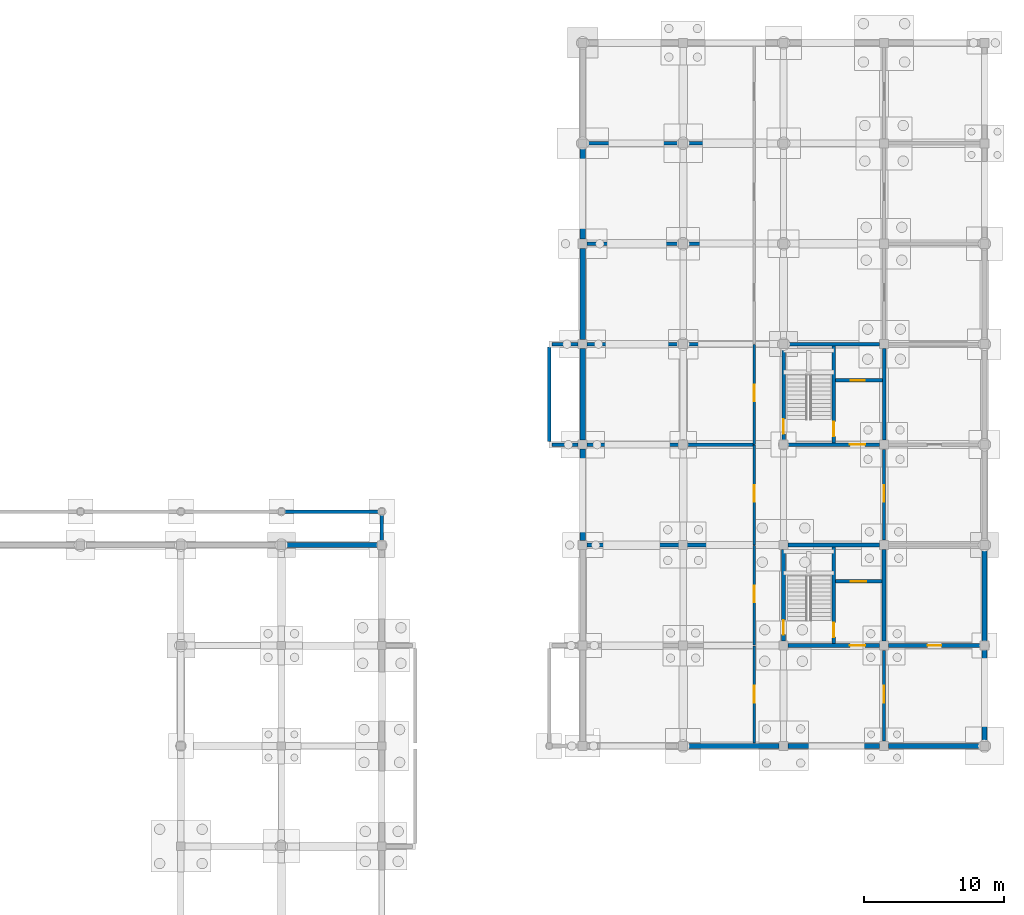
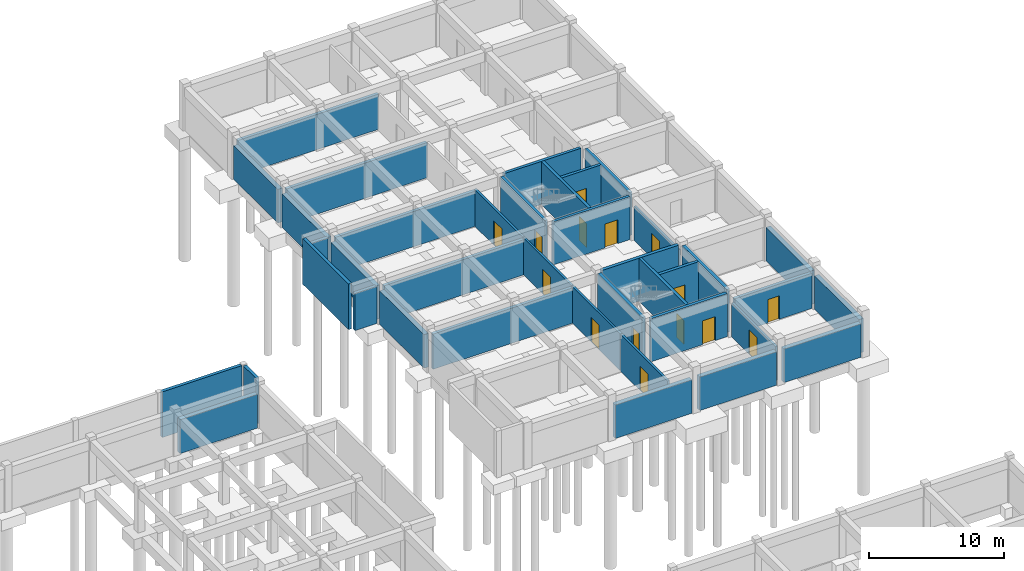
# One storey, part 29 of 38: 39 walls, 15 doors, 15 openings.
"""IFC4 building model written with IfcOpenShell, lengths in metres."""

import ifcopenshell
import ifcopenshell.guid

model = None  # the IFC model being written
_history = None  # IfcOwnerHistory: only IFC2X3 demands one
_inside = {}  # id of a spatial element -> (the spatial element, [elements in it])
_under = {}  # id of a project, library or spatial element -> (it, [spatial elements below it])
_declared = {}  # id of a project -> (the project, [libraries it declares])
_typed = {}  # id of a type object -> (the type object, [elements of that type])
_made_of = {}  # id of a material, layer set ... -> (it, [elements and type objects made of it])


def new_model(schema):
    """Start an empty IFC model of exactly this schema.

    Asked for "IFC4X3", IfcOpenShell would pick the latest addendum, in which some entities
    have other attributes; the version numbers below select the first issue.
    IFC2X3 requires an IfcOwnerHistory on every rooted entity: one is made here for all.
    """
    global model, _history
    if schema == "IFC4X3":
        model = ifcopenshell.file(schema_version=(4, 3, 0, 0))
    else:
        model = ifcopenshell.file(schema=schema)
    _inside.clear()
    _under.clear()
    _declared.clear()
    _typed.clear()
    _made_of.clear()
    _history = None
    if model.schema == "IFC2X3":
        org = make("IfcOrganization", Name="unknown")
        user = make(
            "IfcPersonAndOrganization",
            ThePerson=make("IfcPerson", FamilyName="unknown"),
            TheOrganization=org,
        )
        app = make(
            "IfcApplication",
            ApplicationDeveloper=org,
            Version="unknown",
            ApplicationFullName="unknown",
            ApplicationIdentifier="unknown",
        )
        _history = make(
            "IfcOwnerHistory",
            OwningUser=user,
            OwningApplication=app,
            ChangeAction="ADDED",
            CreationDate=0,
        )
    return model


def make(cls, **values):
    """One entity of the class cls with the attributes given. An attribute that is None is left unset."""
    return model.create_entity(
        cls, **{name: value for name, value in values.items() if value is not None}
    )


def rooted(cls, **values):
    """An entity with a GlobalId (a new one), such as an element, a storey or a relation."""
    return make(cls, GlobalId=ifcopenshell.guid.new(), OwnerHistory=_history, **values)


def si_unit(unit_type, name, prefix=None):
    """IfcSIUnit, for example si_unit("LENGTHUNIT", "METRE", prefix="MILLI")."""
    return make("IfcSIUnit", UnitType=unit_type, Prefix=prefix, Name=name)


def assignment(units):
    """IfcUnitAssignment: the units of a project."""
    return None if units is None else make("IfcUnitAssignment", Units=units)


def point(xyz):
    """IfcCartesianPoint."""
    return None if xyz is None else make("IfcCartesianPoint", Coordinates=xyz)


def direction(xyz):
    """IfcDirection."""
    return None if xyz is None else make("IfcDirection", DirectionRatios=xyz)


def frame(location, z_axis=None, x_axis=None):
    """IfcAxis2Placement3D, a coordinate frame: its origin and axes. An axis left out is left unset."""
    return make(
        "IfcAxis2Placement3D",
        Location=point(location),
        Axis=direction(z_axis),
        RefDirection=direction(x_axis),
    )


def frame_2d(location, x_axis=None):
    """IfcAxis2Placement2D, a coordinate frame in the plane: its origin and x axis."""
    return make(
        "IfcAxis2Placement2D", Location=point(location), RefDirection=direction(x_axis)
    )


def origin():
    """The frame at (0, 0, 0) with its axes left unset."""
    return frame((0.0, 0.0, 0.0))


def place(relative_to, where):
    """IfcLocalPlacement: puts the frame where relative to a parent placement (None: the world)."""
    return make(
        "IfcLocalPlacement", PlacementRelTo=relative_to, RelativePlacement=where
    )


def context(
    kind, dimensions, precision=None, world=None, true_north=None, identifier=None
):
    """IfcGeometricRepresentationContext, for example the 3D "Model" context."""
    return make(
        "IfcGeometricRepresentationContext",
        ContextIdentifier=identifier,
        ContextType=kind,
        CoordinateSpaceDimension=dimensions,
        Precision=precision,
        WorldCoordinateSystem=world,
        TrueNorth=true_north,
    )


def subcontext(parent, identifier, kind, view, scale=None):
    """IfcGeometricRepresentationSubContext, for example "Body" below "Model"."""
    return make(
        "IfcGeometricRepresentationSubContext",
        ContextIdentifier=identifier,
        ContextType=kind,
        ParentContext=parent,
        TargetScale=scale,
        TargetView=view,
    )


def project(units=None, contexts=None):
    """IfcProject with its units and contexts."""
    return rooted(
        "IfcProject",
        Name="project",
        RepresentationContexts=contexts,
        UnitsInContext=assignment(units),
    )


def spatial(cls, under=None, at=None, **own):
    """A site, building, storey or space (cls), placed at a placement, below another one or the project."""
    s = rooted(cls, ObjectPlacement=at, **own)
    if under is not None:
        _under.setdefault(under.id(), (under, []))[1].append(s)
    return s


def profile(cls, at=None, kind="AREA", **sizes):
    """A parametric profile (cls). Its sizes go by their IFC names, for example OverallWidth=200.0."""
    return make(cls, ProfileType=kind, Position=at, **sizes)


def rectangle(**sizes):
    """IfcRectangleProfileDef."""
    return profile("IfcRectangleProfileDef", **sizes)


def extrude(swept, where, along, depth):
    """IfcExtrudedAreaSolid: the profile swept, set in the frame where, extruded along a direction by depth."""
    return make(
        "IfcExtrudedAreaSolid",
        SweptArea=swept,
        Position=where,
        ExtrudedDirection=direction(along),
        Depth=depth,
    )


def shape(context_of_items, identifier, shape_type, items):
    """IfcShapeRepresentation: the items that make up one representation, for example the "Body"."""
    return make(
        "IfcShapeRepresentation",
        ContextOfItems=context_of_items,
        RepresentationIdentifier=identifier,
        RepresentationType=shape_type,
        Items=items,
    )


def material(Name=None, Category=None):
    """IfcMaterial."""
    return make("IfcMaterial", Name=Name, Category=Category)


def layer(
    of_material, thickness, ventilated=None, Name=None, Category=None, Priority=None
):
    """IfcMaterialLayer: one layer of a wall or slab, of a material (None: an air gap)."""
    return make(
        "IfcMaterialLayer",
        Material=of_material,
        LayerThickness=thickness,
        IsVentilated=ventilated,
        Name=Name,
        Category=Category,
        Priority=Priority,
    )


def layer_set(layers, Name=None):
    """IfcMaterialLayerSet."""
    return make("IfcMaterialLayerSet", MaterialLayers=layers, LayerSetName=Name)


def made_of(thing, what):
    """Note that an element or type object is made of a material, layer set ...; save() writes the relation."""
    if what is not None:
        _made_of.setdefault(what.id(), (what, []))[1].append(thing)
    return thing


def type_object(cls, material=None, **own):
    """A type object (cls), such as IfcWallType, which elements share."""
    return made_of(rooted(cls, **own), material)


def element(
    cls,
    number,
    at=None,
    inside=None,
    cuts=None,
    type_object=None,
    material=None,
    context=None,
    identifier="Body",
    shape_type=None,
    held_by="IfcProductDefinitionShape",
    body=None,
    shapes=None,
    **own,
):
    """One element of the class cls, such as IfcWall. Its Tag is "e" and its number.

    at: its placement. inside: the storey or other place that contains it. cuts: it is an
    opening in that element (IfcRelVoidsElement). A single representation is given by context,
    identifier, shape_type and body (its items); several are given by shapes. held_by: the class
    of the entity that holds the representations. save() writes the other relations.
    """
    e = rooted(cls, Tag="e%d" % number, ObjectPlacement=at, **own)
    if body is not None:
        shapes = [shape(context, identifier, shape_type, body)]
    if shapes is not None:
        e.Representation = make(held_by, Representations=shapes)
    if inside is not None:
        _inside.setdefault(inside.id(), (inside, []))[1].append(e)
    if cuts is not None:
        rooted(
            "IfcRelVoidsElement", RelatingBuildingElement=cuts, RelatedOpeningElement=e
        )
    if type_object is not None:
        _typed.setdefault(type_object.id(), (type_object, []))[1].append(e)
    return made_of(e, material)


def fill(opening, filler):
    """IfcRelFillsElement: the door or window that sits in an opening."""
    return rooted(
        "IfcRelFillsElement",
        RelatingOpeningElement=opening,
        RelatedBuildingElement=filler,
    )


def aggregate(whole, parts):
    """IfcRelAggregates: a whole, such as a stair, and the parts it consists of."""
    return rooted("IfcRelAggregates", RelatingObject=whole, RelatedObjects=parts)


def save(model, path):
    """Write the relations noted so far, then the file.

    IfcRelAggregates (storeys below a building ...), IfcRelContainedInSpatialStructure (elements
    in a storey), IfcRelDefinesByType, IfcRelAssociatesMaterial and IfcRelDeclares: one each for
    every whole, place, type object, material and project.
    """
    for whole, parts in _under.values():
        aggregate(whole, parts)
    for where, things in _inside.values():
        rooted(
            "IfcRelContainedInSpatialStructure",
            RelatedElements=things,
            RelatingStructure=where,
        )
    for kind, things in _typed.values():
        rooted("IfcRelDefinesByType", RelatedObjects=things, RelatingType=kind)
    for what, things in _made_of.values():
        rooted("IfcRelAssociatesMaterial", RelatedObjects=things, RelatingMaterial=what)
    for by, libraries in _declared.values():
        rooted("IfcRelDeclares", RelatingContext=by, RelatedDefinitions=libraries)
    model.write(path)


model = new_model("IFC4")

# Units and contexts
model_context = context("Model", 3, precision=1e-05, world=origin(), true_north=direction((0.0, 1.0)))
body_context = subcontext(model_context, "Body", "Model", "MODEL_VIEW")
ifc_project = project(units=[si_unit("LENGTHUNIT", "METRE"), si_unit("AREAUNIT", "SQUARE_METRE"), si_unit("VOLUMEUNIT", "CUBIC_METRE"), si_unit("PLANEANGLEUNIT", "RADIAN"), si_unit("MASSUNIT", "GRAM", prefix="KILO"), si_unit("THERMODYNAMICTEMPERATUREUNIT", "KELVIN"), si_unit("POWERUNIT", "WATT")], contexts=[model_context])

# Site, building, storey
site_placement = place(None, origin())
site = spatial("IfcSite", under=ifc_project, at=site_placement, CompositionType="ELEMENT")
building_placement = place(site_placement, origin())
building = spatial("IfcBuilding", under=site, at=building_placement, Name="Tavuni Mirador Residences", CompositionType="ELEMENT")
storey_placement = place(building_placement, frame((0.0, 0.0, -4.199951171875)))
storey = spatial("IfcBuildingStorey", under=building, at=storey_placement, Name="B1", CompositionType="ELEMENT", Elevation=-4.199951171875)

# Wall, opening, door
ifc_material_1 = material(Name="Precast concrete C40/50", Category="concrete")
ifc_layer_1 = layer(ifc_material_1, 0.25, Name="Precast concrete C40/50", Category="concrete")
ifc_layer_set_1 = layer_set([ifc_layer_1], Name="Precast concrete C40/50")
wall_type_1 = type_object("IfcWallType", Name="WT-COR250", PredefinedType="SHEAR", material=ifc_layer_set_1)
wall_1_placement = place(storey_placement, frame((108.0, 93.739990234375, 0.0), z_axis=(0.0, 0.0, 1.0), x_axis=(0.0, 1.0, 0.0)))
wall_1 = element("IfcWall", 1, at=wall_1_placement, inside=storey, type_object=wall_type_1, Name="CWALL-C7-B1-MID", PredefinedType="SHEAR", context=body_context, shape_type="SweptSolid", body=[
    extrude(rectangle(XDim=6.919921875, YDim=0.25, at=frame_2d((3.4599609375, 0.0))), origin(), (0.0, 0.0, 1.0), 3.8798828125),
])
opening_1_placement = place(wall_1_placement, frame((0.4599609375, 0.0, 0.0)))
opening_1 = element("IfcOpeningElement", 2, at=opening_1_placement, cuts=wall_1, Name="Opening D-01", PredefinedType="OPENING", context=body_context, shape_type="SweptSolid", body=[
    extrude(rectangle(XDim=1.050048828125, YDim=2.14990234375, at=frame_2d((0.52490234375, 1.074951171875))), frame((0.0, 0.135009765625, 0.0), z_axis=(0.0, -1.0, 0.0), x_axis=(1.0, 0.0, 0.0)), (0.0, 0.0, 1.0), 0.27001953125),
])
ifc_material_2 = material(Name="Solid core iroko timber", Category="wood")
door_type_1 = type_object("IfcDoorType", Name="DT-ST1050", OperationType="NOTDEFINED", PredefinedType="DOOR", material=ifc_material_2)
door_1_placement = place(opening_1_placement, origin())
door_1 = element("IfcDoor", 3, at=door_1_placement, inside=storey, type_object=door_type_1, Name="DR-2263", OperationType="SINGLE_SWING_LEFT", OverallHeight=2.14990234375, OverallWidth=1.050048828125, PredefinedType="DOOR", context=body_context, shape_type="SweptSolid", body=[
    extrude(rectangle(XDim=1.050048828125, YDim=2.14990234375, at=frame_2d((0.52490234375, 1.074951171875))), frame((0.0, 0.02490234375, 0.0), z_axis=(0.0, -1.0, 0.0), x_axis=(1.0, 0.0, 0.0)), (0.0, 0.0, 1.0), 0.050048828125),
])
fill(opening_1, door_1)

wall_2_placement = place(storey_placement, frame((108.125, 98.199951171875, 0.0), z_axis=(0.0, 0.0, 1.0), x_axis=(1.0, 0.0, 0.0)))
wall_2 = element("IfcWall", 4, at=wall_2_placement, inside=storey, type_object=wall_type_1, Name="CWALL-C7-B1-SHF", PredefinedType="SHEAR", context=body_context, shape_type="SweptSolid", body=[
    extrude(rectangle(XDim=3.3349609375, YDim=0.25, at=frame_2d((1.66748046875, 0.0))), origin(), (0.0, 0.0, 1.0), 3.8798828125),
])
opening_2_placement = place(wall_2_placement, frame((1.10009765625, 0.0, 0.0)))
opening_2 = element("IfcOpeningElement", 5, at=opening_2_placement, cuts=wall_2, Name="Opening LD-01", PredefinedType="OPENING", context=body_context, shape_type="SweptSolid", body=[
    extrude(rectangle(XDim=1.10009765625, YDim=2.199951171875, at=frame_2d((0.550048828125, 1.10009765625))), frame((0.0, 0.135009765625, 0.0), z_axis=(0.0, -1.0, 0.0), x_axis=(1.0, 0.0, 0.0)), (0.0, 0.0, 1.0), 0.27001953125),
])
ifc_material_3 = material(Name="Structural steel S355", Category="steel")
door_type_2 = type_object("IfcDoorType", Name="DT-LD-FF", OperationType="SLIDING_TO_LEFT", PredefinedType="DOOR", material=ifc_material_3)
door_2_placement = place(opening_2_placement, origin())
door_2 = element("IfcDoor", 6, at=door_2_placement, inside=storey, type_object=door_type_2, Name="Lift landing door FL-D1 B1", OperationType="SLIDING_TO_LEFT", OverallHeight=2.199951171875, OverallWidth=1.10009765625, PredefinedType="DOOR", context=body_context, shape_type="SweptSolid", body=[
    extrude(rectangle(XDim=1.10009765625, YDim=2.199951171875, at=frame_2d((0.550048828125, 1.10009765625))), frame((0.0, 0.02490234375, 0.0), z_axis=(0.0, -1.0, 0.0), x_axis=(1.0, 0.0, 0.0)), (0.0, 0.0, 1.0), 0.050048828125),
])
fill(opening_2, door_2)

wall_3_placement = place(storey_placement, frame((104.39990234375, 108.324951171875, 0.0), z_axis=(0.0, 0.0, 1.0), x_axis=(0.0, 1.0, 0.0)))
wall_3 = element("IfcWall", 7, at=wall_3_placement, inside=storey, type_object=wall_type_1, Name="CWALL-C8-B1-W", PredefinedType="SHEAR", context=body_context, shape_type="SweptSolid", body=[
    extrude(rectangle(XDim=6.550048828125, YDim=0.25, at=frame_2d((3.27490234375, 0.0))), origin(), (0.0, 0.0, 1.0), 3.8798828125),
])
opening_3_placement = place(wall_3_placement, frame((0.449951171875, 0.0, 0.0)))
opening_3 = element("IfcOpeningElement", 8, at=opening_3_placement, cuts=wall_3, Name="Opening D-01", PredefinedType="OPENING", context=body_context, shape_type="SweptSolid", body=[
    extrude(rectangle(XDim=1.050048828125, YDim=2.14990234375, at=frame_2d((0.52490234375, 1.074951171875))), frame((0.0, 0.135009765625, 0.0), z_axis=(0.0, -1.0, 0.0), x_axis=(1.0, 0.0, 0.0)), (0.0, 0.0, 1.0), 0.27001953125),
])
door_3_placement = place(opening_3_placement, origin())
door_3 = element("IfcDoor", 9, at=door_3_placement, inside=storey, type_object=door_type_1, Name="DR-2309", OperationType="SINGLE_SWING_RIGHT", OverallHeight=2.14990234375, OverallWidth=1.050048828125, PredefinedType="DOOR", context=body_context, shape_type="SweptSolid", body=[
    extrude(rectangle(XDim=1.050048828125, YDim=2.14990234375, at=frame_2d((0.52490234375, 1.074951171875))), frame((0.0, 0.02490234375, 0.0), z_axis=(0.0, -1.0, 0.0), x_axis=(1.0, 0.0, 0.0)), (0.0, 0.0, 1.0), 0.050048828125),
])
fill(opening_3, door_3)

# Walls
wall_4_placement = place(storey_placement, frame((104.72509765625, 115.199951171875, 0.0), z_axis=(0.0, 0.0, 1.0), x_axis=(1.0, 0.0, 0.0)))
element("IfcWall", 10, at=wall_4_placement, inside=storey, type_object=wall_type_1, Name="CWALL-C8-B1-N", PredefinedType="SHEAR", context=body_context, shape_type="SweptSolid", body=[
    extrude(rectangle(XDim=6.5498046875, YDim=0.25, at=frame_2d((3.27490234375, 0.0))), origin(), (0.0, 0.0, 1.0), 3.8798828125),
])
wall_5_placement = place(storey_placement, frame((111.60009765625, 108.324951171875, 0.0), z_axis=(0.0, 0.0, 1.0), x_axis=(0.0, 1.0, 0.0)))
element("IfcWall", 11, at=wall_5_placement, inside=storey, type_object=wall_type_1, Name="CWALL-C8-B1-E", PredefinedType="SHEAR", context=body_context, shape_type="SweptSolid", body=[
    extrude(rectangle(XDim=6.550048828125, YDim=0.25, at=frame_2d((3.27490234375, 0.0))), origin(), (0.0, 0.0, 1.0), 3.8798828125),
])

# Wall, opening, door
wall_6_placement = place(storey_placement, frame((104.72509765625, 108.0, 0.0), z_axis=(0.0, 0.0, 1.0), x_axis=(1.0, 0.0, 0.0)))
wall_6 = element("IfcWall", 12, at=wall_6_placement, inside=storey, type_object=wall_type_1, Name="CWALL-C8-B1-SS", PredefinedType="SHEAR", context=body_context, shape_type="SweptSolid", body=[
    extrude(rectangle(XDim=6.5498046875, YDim=0.25, at=frame_2d((3.27490234375, 0.0))), origin(), (0.0, 0.0, 1.0), 3.8798828125),
])
opening_4_placement = place(wall_6_placement, frame((4.425048828125, 0.0, 0.0)))
opening_4 = element("IfcOpeningElement", 13, at=opening_4_placement, cuts=wall_6, Name="Opening D-02", PredefinedType="OPENING", context=body_context, shape_type="SweptSolid", body=[
    extrude(rectangle(XDim=1.10009765625, YDim=2.14990234375, at=frame_2d((0.550048828125, 1.074951171875))), frame((0.0, 0.135009765625, 0.0), z_axis=(0.0, -1.0, 0.0), x_axis=(1.0, 0.0, 0.0)), (0.0, 0.0, 1.0), 0.27001953125),
])
door_type_3 = type_object("IfcDoorType", Name="DT-LOB1100", OperationType="NOTDEFINED", PredefinedType="DOOR", material=ifc_material_2)
door_4_placement = place(opening_4_placement, frame((1.10009765625, 0.0, 0.0), z_axis=(0.0, 0.0, 1.0), x_axis=(-1.0, 0.0, 0.0)))
door_4 = element("IfcDoor", 14, at=door_4_placement, inside=storey, type_object=door_type_3, Name="DR-2310", OperationType="SINGLE_SWING_RIGHT", OverallHeight=2.14990234375, OverallWidth=1.10009765625, PredefinedType="DOOR", context=body_context, shape_type="SweptSolid", body=[
    extrude(rectangle(XDim=1.10009765625, YDim=2.14990234375, at=frame_2d((0.550048828125, 1.074951171875))), frame((0.0, 0.02490234375, 0.0), z_axis=(0.0, -1.0, 0.0), x_axis=(1.0, 0.0, 0.0)), (0.0, 0.0, 1.0), 0.050048828125),
])
fill(opening_4, door_4)

wall_7_placement = place(storey_placement, frame((108.0, 108.125, 0.0), z_axis=(0.0, 0.0, 1.0), x_axis=(0.0, 1.0, 0.0)))
wall_7 = element("IfcWall", 15, at=wall_7_placement, inside=storey, type_object=wall_type_1, Name="CWALL-C8-B1-MID", PredefinedType="SHEAR", context=body_context, shape_type="SweptSolid", body=[
    extrude(rectangle(XDim=6.949951171875, YDim=0.25, at=frame_2d((3.47509765625, 0.0))), origin(), (0.0, 0.0, 1.0), 3.8798828125),
])
opening_5_placement = place(wall_7_placement, frame((0.47509765625, 0.0, 0.0)))
opening_5 = element("IfcOpeningElement", 16, at=opening_5_placement, cuts=wall_7, Name="Opening D-01", PredefinedType="OPENING", context=body_context, shape_type="SweptSolid", body=[
    extrude(rectangle(XDim=1.050048828125, YDim=2.14990234375, at=frame_2d((0.52490234375, 1.074951171875))), frame((0.0, 0.135009765625, 0.0), z_axis=(0.0, -1.0, 0.0), x_axis=(1.0, 0.0, 0.0)), (0.0, 0.0, 1.0), 0.27001953125),
])
door_5_placement = place(opening_5_placement, origin())
door_5 = element("IfcDoor", 17, at=door_5_placement, inside=storey, type_object=door_type_1, Name="DR-2311", OperationType="SINGLE_SWING_LEFT", OverallHeight=2.14990234375, OverallWidth=1.050048828125, PredefinedType="DOOR", context=body_context, shape_type="SweptSolid", body=[
    extrude(rectangle(XDim=1.050048828125, YDim=2.14990234375, at=frame_2d((0.52490234375, 1.074951171875))), frame((0.0, 0.02490234375, 0.0), z_axis=(0.0, -1.0, 0.0), x_axis=(1.0, 0.0, 0.0)), (0.0, 0.0, 1.0), 0.050048828125),
])
fill(opening_5, door_5)

wall_8_placement = place(storey_placement, frame((108.125, 112.60009765625, 0.0), z_axis=(0.0, 0.0, 1.0), x_axis=(1.0, 0.0, 0.0)))
wall_8 = element("IfcWall", 18, at=wall_8_placement, inside=storey, type_object=wall_type_1, Name="CWALL-C8-B1-SHF", PredefinedType="SHEAR", context=body_context, shape_type="SweptSolid", body=[
    extrude(rectangle(XDim=3.35009765625, YDim=0.25, at=frame_2d((1.675048828125, 0.0))), origin(), (0.0, 0.0, 1.0), 3.8798828125),
])
opening_6_placement = place(wall_8_placement, frame((1.10009765625, 0.0, 0.0)))
opening_6 = element("IfcOpeningElement", 19, at=opening_6_placement, cuts=wall_8, Name="Opening LD-02", PredefinedType="OPENING", context=body_context, shape_type="SweptSolid", body=[
    extrude(rectangle(XDim=1.0, YDim=2.199951171875, at=frame_2d((0.5, 1.10009765625))), frame((0.0, 0.135009765625, 0.0), z_axis=(0.0, -1.0, 0.0), x_axis=(1.0, 0.0, 0.0)), (0.0, 0.0, 1.0), 0.27001953125),
])
door_type_4 = type_object("IfcDoorType", Name="DT-LD-PAX", OperationType="SLIDING_TO_LEFT", PredefinedType="DOOR", material=ifc_material_3)
door_6_placement = place(opening_6_placement, origin())
door_6 = element("IfcDoor", 20, at=door_6_placement, inside=storey, type_object=door_type_4, Name="Lift landing door PL-D1 B1", OperationType="SLIDING_TO_LEFT", OverallHeight=2.199951171875, OverallWidth=1.0, PredefinedType="DOOR", context=body_context, shape_type="SweptSolid", body=[
    extrude(rectangle(XDim=1.0, YDim=2.199951171875, at=frame_2d((0.5, 1.10009765625))), frame((0.0, 0.02490234375, 0.0), z_axis=(0.0, -1.0, 0.0), x_axis=(1.0, 0.0, 0.0)), (0.0, 0.0, 1.0), 0.050048828125),
])
fill(opening_6, door_6)

ifc_layer_2 = layer(ifc_material_1, 0.280029296875, Name="Precast concrete C40/50", Category="concrete")
ifc_layer_set_2 = layer_set([ifc_layer_2], Name="Precast concrete C40/50")
wall_type_2 = type_object("IfcWallType", Name="WT-COR280", PredefinedType="SHEAR", material=ifc_layer_set_2)
wall_9_placement = place(storey_placement, frame((104.39990234375, 93.925048828125, 0.0), z_axis=(0.0, 0.0, 1.0), x_axis=(0.0, 1.0, 0.0)))
wall_9 = element("IfcWall", 21, at=wall_9_placement, inside=storey, type_object=wall_type_2, Name="CWALL-C7-B1-W", PredefinedType="SHEAR", context=body_context, shape_type="SweptSolid", body=[
    extrude(rectangle(XDim=6.550048828125, YDim=0.280029296875, at=frame_2d((3.27490234375, 0.0))), origin(), (0.0, 0.0, 1.0), 3.8798828125),
])
opening_7_placement = place(wall_9_placement, frame((0.449951171875, 0.0, 0.0)))
opening_7 = element("IfcOpeningElement", 22, at=opening_7_placement, cuts=wall_9, Name="Opening D-01", PredefinedType="OPENING", context=body_context, shape_type="SweptSolid", body=[
    extrude(rectangle(XDim=1.050048828125, YDim=2.14990234375, at=frame_2d((0.52490234375, 1.074951171875))), frame((0.0, 0.14990234375, 0.0), z_axis=(0.0, -1.0, 0.0), x_axis=(1.0, 0.0, 0.0)), (0.0, 0.0, 1.0), 0.300048828125),
])
door_7_placement = place(opening_7_placement, origin())
door_7 = element("IfcDoor", 23, at=door_7_placement, inside=storey, type_object=door_type_1, Name="DR-2261", OperationType="SINGLE_SWING_RIGHT", OverallHeight=2.14990234375, OverallWidth=1.050048828125, PredefinedType="DOOR", context=body_context, shape_type="SweptSolid", body=[
    extrude(rectangle(XDim=1.050048828125, YDim=2.14990234375, at=frame_2d((0.52490234375, 1.074951171875))), frame((0.0, 0.02490234375, 0.0), z_axis=(0.0, -1.0, 0.0), x_axis=(1.0, 0.0, 0.0)), (0.0, 0.0, 1.0), 0.050048828125),
])
fill(opening_7, door_7)

# Walls
wall_10_placement = place(storey_placement, frame((104.72509765625, 100.800048828125, 0.0), z_axis=(0.0, 0.0, 1.0), x_axis=(1.0, 0.0, 0.0)))
element("IfcWall", 24, at=wall_10_placement, inside=storey, type_object=wall_type_2, Name="CWALL-C7-B1-N", PredefinedType="SHEAR", context=body_context, shape_type="SweptSolid", body=[
    extrude(rectangle(XDim=6.5498046875, YDim=0.280029296875, at=frame_2d((3.27490234375, 0.0))), origin(), (0.0, 0.0, 1.0), 3.8798828125),
])
wall_11_placement = place(storey_placement, frame((111.60009765625, 93.925048828125, 0.0), z_axis=(0.0, 0.0, 1.0), x_axis=(0.0, 1.0, 0.0)))
element("IfcWall", 25, at=wall_11_placement, inside=storey, type_object=wall_type_2, Name="CWALL-C7-B1-E", PredefinedType="SHEAR", context=body_context, shape_type="SweptSolid", body=[
    extrude(rectangle(XDim=6.550048828125, YDim=0.280029296875, at=frame_2d((3.27490234375, 0.0))), origin(), (0.0, 0.0, 1.0), 3.8798828125),
])

# Wall, opening, door
wall_12_placement = place(storey_placement, frame((104.72509765625, 93.60009765625, 0.0), z_axis=(0.0, 0.0, 1.0), x_axis=(1.0, 0.0, 0.0)))
wall_12 = element("IfcWall", 26, at=wall_12_placement, inside=storey, type_object=wall_type_2, Name="CWALL-C7-B1-SS", PredefinedType="SHEAR", context=body_context, shape_type="SweptSolid", body=[
    extrude(rectangle(XDim=6.5498046875, YDim=0.280029296875, at=frame_2d((3.27490234375, 0.0))), origin(), (0.0, 0.0, 1.0), 3.8798828125),
])
opening_8_placement = place(wall_12_placement, frame((4.425048828125, 0.0, 0.0)))
opening_8 = element("IfcOpeningElement", 27, at=opening_8_placement, cuts=wall_12, Name="Opening D-02", PredefinedType="OPENING", context=body_context, shape_type="SweptSolid", body=[
    extrude(rectangle(XDim=1.10009765625, YDim=2.14990234375, at=frame_2d((0.550048828125, 1.074951171875))), frame((0.0, 0.14990234375, 0.0), z_axis=(0.0, -1.0, 0.0), x_axis=(1.0, 0.0, 0.0)), (0.0, 0.0, 1.0), 0.300048828125),
])
door_8_placement = place(opening_8_placement, frame((1.10009765625, 0.0, 0.0), z_axis=(0.0, 0.0, 1.0), x_axis=(-1.0, 0.0, 0.0)))
door_8 = element("IfcDoor", 28, at=door_8_placement, inside=storey, type_object=door_type_3, Name="DR-2262", OperationType="SINGLE_SWING_RIGHT", OverallHeight=2.14990234375, OverallWidth=1.10009765625, PredefinedType="DOOR", context=body_context, shape_type="SweptSolid", body=[
    extrude(rectangle(XDim=1.10009765625, YDim=2.14990234375, at=frame_2d((0.550048828125, 1.074951171875))), frame((0.0, 0.02490234375, 0.0), z_axis=(0.0, -1.0, 0.0), x_axis=(1.0, 0.0, 0.0)), (0.0, 0.0, 1.0), 0.050048828125),
])
fill(opening_8, door_8)

ifc_layer_3 = layer(ifc_material_1, 0.18505859375, Name="Precast concrete C40/50", Category="concrete")
ifc_layer_set_3 = layer_set([ifc_layer_3], Name="Precast concrete C40/50")
wall_type_3 = type_object("IfcWallType", Name="WT-CORR185", PredefinedType="PARTITIONING", material=ifc_layer_set_3)
wall_13_placement = place(storey_placement, frame((102.300048828125, 86.614990234375, 0.0), z_axis=(0.0, 0.0, 1.0), x_axis=(0.0, 1.0, 0.0)))
wall_13 = element("IfcWall", 29, at=wall_13_placement, inside=storey, type_object=wall_type_3, Name="CORW-BLK-D-B1-0-00", PredefinedType="PARTITIONING", context=body_context, shape_type="SweptSolid", body=[
    extrude(rectangle(XDim=6.965087890625, YDim=0.18505859375, at=frame_2d((3.482421875, 0.0))), origin(), (0.0, 0.0, 1.0), 3.31494140625),
])
opening_9_placement = place(wall_13_placement, frame((2.885009765625, 0.0, 0.0)))
opening_9 = element("IfcOpeningElement", 30, at=opening_9_placement, cuts=wall_13, Name="Opening D-18", PredefinedType="OPENING", context=body_context, shape_type="SweptSolid", body=[
    extrude(rectangle(XDim=1.199951171875, YDim=2.199951171875, at=frame_2d((0.60009765625, 1.10009765625))), frame((0.0, 0.1025390625, 0.0), z_axis=(0.0, -1.0, 0.0), x_axis=(1.0, 0.0, 0.0)), (0.0, 0.0, 1.0), 0.205078125),
])
door_type_5 = type_object("IfcDoorType", Name="DT-PLT1200", OperationType="NOTDEFINED", PredefinedType="DOOR", material=ifc_material_3)
door_9_placement = place(opening_9_placement, origin())
door_9 = element("IfcDoor", 31, at=door_9_placement, inside=storey, type_object=door_type_5, Name="DR-2797", OperationType="SINGLE_SWING_RIGHT", OverallHeight=2.199951171875, OverallWidth=1.199951171875, PredefinedType="DOOR", context=body_context, shape_type="SweptSolid", body=[
    extrude(rectangle(XDim=1.199951171875, YDim=2.199951171875, at=frame_2d((0.60009765625, 1.10009765625))), frame((0.0, 0.02490234375, 0.0), z_axis=(0.0, -1.0, 0.0), x_axis=(1.0, 0.0, 0.0)), (0.0, 0.0, 1.0), 0.050048828125),
])
fill(opening_9, door_9)

wall_14_placement = place(storey_placement, frame((102.300048828125, 93.6201171875, 0.0), z_axis=(0.0, 0.0, 1.0), x_axis=(0.0, 1.0, 0.0)))
wall_14 = element("IfcWall", 32, at=wall_14_placement, inside=storey, type_object=wall_type_3, Name="CORW-BLK-D-B1-0-01", PredefinedType="PARTITIONING", context=body_context, shape_type="SweptSolid", body=[
    extrude(rectangle(XDim=7.159912109375, YDim=0.18505859375, at=frame_2d((3.580078125, 0.0))), origin(), (0.0, 0.0, 1.0), 3.31494140625),
])
opening_10_placement = place(wall_14_placement, frame((3.080078125, 0.0, 0.0)))
opening_10 = element("IfcOpeningElement", 33, at=opening_10_placement, cuts=wall_14, Name="Opening D-18", PredefinedType="OPENING", context=body_context, shape_type="SweptSolid", body=[
    extrude(rectangle(XDim=1.199951171875, YDim=2.199951171875, at=frame_2d((0.60009765625, 1.10009765625))), frame((0.0, 0.1025390625, 0.0), z_axis=(0.0, -1.0, 0.0), x_axis=(1.0, 0.0, 0.0)), (0.0, 0.0, 1.0), 0.205078125),
])
door_10_placement = place(opening_10_placement, origin())
door_10 = element("IfcDoor", 34, at=door_10_placement, inside=storey, type_object=door_type_5, Name="DR-2798", OperationType="SINGLE_SWING_LEFT", OverallHeight=2.199951171875, OverallWidth=1.199951171875, PredefinedType="DOOR", context=body_context, shape_type="SweptSolid", body=[
    extrude(rectangle(XDim=1.199951171875, YDim=2.199951171875, at=frame_2d((0.60009765625, 1.10009765625))), frame((0.0, 0.02490234375, 0.0), z_axis=(0.0, -1.0, 0.0), x_axis=(1.0, 0.0, 0.0)), (0.0, 0.0, 1.0), 0.050048828125),
])
fill(opening_10, door_10)

wall_15_placement = place(storey_placement, frame((102.300048828125, 100.820068359375, 0.0), z_axis=(0.0, 0.0, 1.0), x_axis=(0.0, 1.0, 0.0)))
wall_15 = element("IfcWall", 35, at=wall_15_placement, inside=storey, type_object=wall_type_3, Name="CORW-BLK-D-B1-0-02", PredefinedType="PARTITIONING", context=body_context, shape_type="SweptSolid", body=[
    extrude(rectangle(XDim=7.159912109375, YDim=0.18505859375, at=frame_2d((3.580078125, 0.0))), origin(), (0.0, 0.0, 1.0), 3.31494140625),
])
opening_11_placement = place(wall_15_placement, frame((3.080078125, 0.0, 0.0)))
opening_11 = element("IfcOpeningElement", 36, at=opening_11_placement, cuts=wall_15, Name="Opening D-18", PredefinedType="OPENING", context=body_context, shape_type="SweptSolid", body=[
    extrude(rectangle(XDim=1.199951171875, YDim=2.199951171875, at=frame_2d((0.60009765625, 1.10009765625))), frame((0.0, 0.1025390625, 0.0), z_axis=(0.0, -1.0, 0.0), x_axis=(1.0, 0.0, 0.0)), (0.0, 0.0, 1.0), 0.205078125),
])
door_11_placement = place(opening_11_placement, origin())
door_11 = element("IfcDoor", 37, at=door_11_placement, inside=storey, type_object=door_type_5, Name="DR-2799", OperationType="SINGLE_SWING_RIGHT", OverallHeight=2.199951171875, OverallWidth=1.199951171875, PredefinedType="DOOR", context=body_context, shape_type="SweptSolid", body=[
    extrude(rectangle(XDim=1.199951171875, YDim=2.199951171875, at=frame_2d((0.60009765625, 1.10009765625))), frame((0.0, 0.02490234375, 0.0), z_axis=(0.0, -1.0, 0.0), x_axis=(1.0, 0.0, 0.0)), (0.0, 0.0, 1.0), 0.050048828125),
])
fill(opening_11, door_11)

wall_16_placement = place(storey_placement, frame((102.300048828125, 108.02001953125, 0.0), z_axis=(0.0, 0.0, 1.0), x_axis=(0.0, 1.0, 0.0)))
wall_16 = element("IfcWall", 38, at=wall_16_placement, inside=storey, type_object=wall_type_3, Name="CORW-BLK-D-B1-0-03", PredefinedType="PARTITIONING", context=body_context, shape_type="SweptSolid", body=[
    extrude(rectangle(XDim=7.159912109375, YDim=0.18505859375, at=frame_2d((3.580078125, 0.0))), origin(), (0.0, 0.0, 1.0), 3.31494140625),
])
opening_12_placement = place(wall_16_placement, frame((3.080078125, 0.0, 0.0)))
opening_12 = element("IfcOpeningElement", 39, at=opening_12_placement, cuts=wall_16, Name="Opening D-18", PredefinedType="OPENING", context=body_context, shape_type="SweptSolid", body=[
    extrude(rectangle(XDim=1.199951171875, YDim=2.199951171875, at=frame_2d((0.60009765625, 1.10009765625))), frame((0.0, 0.1025390625, 0.0), z_axis=(0.0, -1.0, 0.0), x_axis=(1.0, 0.0, 0.0)), (0.0, 0.0, 1.0), 0.205078125),
])
door_12_placement = place(opening_12_placement, origin())
door_12 = element("IfcDoor", 40, at=door_12_placement, inside=storey, type_object=door_type_5, Name="DR-2800", OperationType="SINGLE_SWING_LEFT", OverallHeight=2.199951171875, OverallWidth=1.199951171875, PredefinedType="DOOR", context=body_context, shape_type="SweptSolid", body=[
    extrude(rectangle(XDim=1.199951171875, YDim=2.199951171875, at=frame_2d((0.60009765625, 1.10009765625))), frame((0.0, 0.02490234375, 0.0), z_axis=(0.0, -1.0, 0.0), x_axis=(1.0, 0.0, 0.0)), (0.0, 0.0, 1.0), 0.050048828125),
])
fill(opening_12, door_12)

wall_17_placement = place(storey_placement, frame((111.60009765625, 86.75, 0.0), z_axis=(0.0, 0.0, 1.0), x_axis=(0.0, 1.0, 0.0)))
wall_17 = element("IfcWall", 41, at=wall_17_placement, inside=storey, type_object=wall_type_3, Name="CORW-BLK-D-B1-1-00", PredefinedType="PARTITIONING", context=body_context, shape_type="SweptSolid", body=[
    extrude(rectangle(XDim=6.5, YDim=0.18505859375, at=frame_2d((3.25, 0.0))), origin(), (0.0, 0.0, 1.0), 3.079833984375),
])
opening_13_placement = place(wall_17_placement, frame((2.75, 0.0, 0.0)))
opening_13 = element("IfcOpeningElement", 42, at=opening_13_placement, cuts=wall_17, Name="Opening D-18", PredefinedType="OPENING", context=body_context, shape_type="SweptSolid", body=[
    extrude(rectangle(XDim=1.199951171875, YDim=2.199951171875, at=frame_2d((0.60009765625, 1.10009765625))), frame((0.0, 0.1025390625, 0.0), z_axis=(0.0, -1.0, 0.0), x_axis=(1.0, 0.0, 0.0)), (0.0, 0.0, 1.0), 0.205078125),
])
door_13_placement = place(opening_13_placement, origin())
door_13 = element("IfcDoor", 43, at=door_13_placement, inside=storey, type_object=door_type_5, Name="DR-2804", OperationType="SINGLE_SWING_LEFT", OverallHeight=2.199951171875, OverallWidth=1.199951171875, PredefinedType="DOOR", context=body_context, shape_type="SweptSolid", body=[
    extrude(rectangle(XDim=1.199951171875, YDim=2.199951171875, at=frame_2d((0.60009765625, 1.10009765625))), frame((0.0, 0.02490234375, 0.0), z_axis=(0.0, -1.0, 0.0), x_axis=(1.0, 0.0, 0.0)), (0.0, 0.0, 1.0), 0.050048828125),
])
fill(opening_13, door_13)

wall_18_placement = place(storey_placement, frame((111.60009765625, 101.14990234375, 0.0), z_axis=(0.0, 0.0, 1.0), x_axis=(0.0, 1.0, 0.0)))
wall_18 = element("IfcWall", 44, at=wall_18_placement, inside=storey, type_object=wall_type_3, Name="CORW-BLK-D-B1-1-02", PredefinedType="PARTITIONING", context=body_context, shape_type="SweptSolid", body=[
    extrude(rectangle(XDim=6.5, YDim=0.18505859375, at=frame_2d((3.25, 0.0))), origin(), (0.0, 0.0, 1.0), 3.079833984375),
])
opening_14_placement = place(wall_18_placement, frame((2.75, 0.0, 0.0)))
opening_14 = element("IfcOpeningElement", 45, at=opening_14_placement, cuts=wall_18, Name="Opening D-18", PredefinedType="OPENING", context=body_context, shape_type="SweptSolid", body=[
    extrude(rectangle(XDim=1.199951171875, YDim=2.199951171875, at=frame_2d((0.60009765625, 1.10009765625))), frame((0.0, 0.1025390625, 0.0), z_axis=(0.0, -1.0, 0.0), x_axis=(1.0, 0.0, 0.0)), (0.0, 0.0, 1.0), 0.205078125),
])
door_14_placement = place(opening_14_placement, origin())
door_14 = element("IfcDoor", 46, at=door_14_placement, inside=storey, type_object=door_type_5, Name="DR-2805", OperationType="SINGLE_SWING_RIGHT", OverallHeight=2.199951171875, OverallWidth=1.199951171875, PredefinedType="DOOR", context=body_context, shape_type="SweptSolid", body=[
    extrude(rectangle(XDim=1.199951171875, YDim=2.199951171875, at=frame_2d((0.60009765625, 1.10009765625))), frame((0.0, 0.02490234375, 0.0), z_axis=(0.0, -1.0, 0.0), x_axis=(1.0, 0.0, 0.0)), (0.0, 0.0, 1.0), 0.050048828125),
])
fill(opening_14, door_14)

# Walls
ifc_material_4 = material(Name="In-situ concrete C35/45", Category="concrete")
ifc_layer_4 = layer(ifc_material_4, 0.3798828125, Name="In-situ concrete C35/45", Category="concrete")
ifc_layer_set_4 = layer_set([ifc_layer_4], Name="In-situ concrete C35/45")
wall_type_4 = type_object("IfcWallType", Name="WT-RET380", PredefinedType="USERDEFINED", material=ifc_layer_set_4)
wall_19_placement = place(storey_placement, frame((75.300048828125, 100.800048828125, 0.0), z_axis=(0.0, 0.0, 1.0), x_axis=(-1.0, 0.0, 0.0)))
element("IfcWall", 47, at=wall_19_placement, inside=storey, type_object=wall_type_4, Name="RET-PAV-HALL-N-04", ObjectType="RETAINING WALL", PredefinedType="USERDEFINED", context=body_context, shape_type="SweptSolid", body=[
    extrude(rectangle(XDim=6.60009765625, YDim=0.3798828125, at=frame_2d((3.300048828125, 0.0))), origin(), (0.0, 0.0, 1.0), 3.050048828125),
])
wall_20_placement = place(storey_placement, frame((97.52490234375, 86.39990234375, 0.0), z_axis=(0.0, 0.0, 1.0), x_axis=(1.0, 0.0, 0.0)))
element("IfcWall", 48, at=wall_20_placement, inside=storey, type_object=wall_type_4, Name="RET-BLK-D-S-01", ObjectType="RETAINING WALL", PredefinedType="USERDEFINED", context=body_context, shape_type="SweptSolid", body=[
    extrude(rectangle(XDim=6.550048828125, YDim=0.3798828125, at=frame_2d((3.27490234375, 0.0))), origin(), (0.0, 0.0, 1.0), 3.030029296875),
])
wall_21_placement = place(storey_placement, frame((104.72509765625, 86.39990234375, 0.0), z_axis=(0.0, 0.0, 1.0), x_axis=(1.0, 0.0, 0.0)))
element("IfcWall", 49, at=wall_21_placement, inside=storey, type_object=wall_type_4, Name="RET-BLK-D-S-02", ObjectType="RETAINING WALL", PredefinedType="USERDEFINED", context=body_context, shape_type="SweptSolid", body=[
    extrude(rectangle(XDim=6.5498046875, YDim=0.3798828125, at=frame_2d((3.27490234375, 0.0))), origin(), (0.0, 0.0, 1.0), 3.030029296875),
])
wall_22_placement = place(storey_placement, frame((111.925048828125, 86.39990234375, 0.0), z_axis=(0.0, 0.0, 1.0), x_axis=(1.0, 0.0, 0.0)))
element("IfcWall", 50, at=wall_22_placement, inside=storey, type_object=wall_type_4, Name="RET-BLK-D-S-03", ObjectType="RETAINING WALL", PredefinedType="USERDEFINED", context=body_context, shape_type="SweptSolid", body=[
    extrude(rectangle(XDim=6.550048828125, YDim=0.3798828125, at=frame_2d((3.27490234375, 0.0))), origin(), (0.0, 0.0, 1.0), 3.030029296875),
])
wall_23_placement = place(storey_placement, frame((118.800048828125, 86.72509765625, 0.0), z_axis=(0.0, 0.0, 1.0), x_axis=(0.0, 1.0, 0.0)))
element("IfcWall", 51, at=wall_23_placement, inside=storey, type_object=wall_type_4, Name="RET-BLK-D-E-00", ObjectType="RETAINING WALL", PredefinedType="USERDEFINED", context=body_context, shape_type="SweptSolid", body=[
    extrude(rectangle(XDim=6.5498046875, YDim=0.3798828125, at=frame_2d((3.27490234375, 0.0))), origin(), (0.0, 0.0, 1.0), 3.030029296875),
])
for number, where, z_axis, x_axis, name in (
    (52, (118.800048828125, 93.925048828125, 0.0), (0.0, 0.0, 1.0), (0.0, 1.0, 0.0), "RET-BLK-D-E-01"),
    (53, (90.0, 107.675048828125, 0.0), (0.0, 0.0, 1.0), (0.0, -1.0, 0.0), "RET-BLK-D-W-02"),
    (54, (90.0, 114.875, 0.0), (0.0, 0.0, 1.0), (0.0, -1.0, 0.0), "RET-BLK-D-W-03"),
    (55, (90.0, 122.074951171875, 0.0), (0.0, 0.0, 1.0), (0.0, -1.0, 0.0), "RET-BLK-D-W-04"),
):
    element("IfcWall", number, at=place(storey_placement, frame(where, z_axis=z_axis, x_axis=x_axis)), inside=storey, type_object=wall_type_4, Name=name, ObjectType="RETAINING WALL", PredefinedType="USERDEFINED", context=body_context, shape_type="SweptSolid", body=[
        extrude(rectangle(XDim=6.550048828125, YDim=0.3798828125, at=frame_2d((3.27490234375, 0.0))), origin(), (0.0, 0.0, 1.0), 3.030029296875),
    ])
wall_24_placement = place(storey_placement, frame((90.0, 129.27490234375, 0.0), z_axis=(0.0, 0.0, 1.0), x_axis=(0.0, -1.0, 0.0)))
element("IfcWall", 56, at=wall_24_placement, inside=storey, type_object=wall_type_4, Name="RET-BLK-D-W-05", ObjectType="RETAINING WALL", PredefinedType="USERDEFINED", context=body_context, shape_type="SweptSolid", body=[
    extrude(rectangle(XDim=6.5498046875, YDim=0.3798828125, at=frame_2d((3.27490234375, 0.0))), origin(), (0.0, 0.0, 1.0), 3.030029296875),
])
ifc_layer_5 = layer(ifc_material_1, 0.264892578125, Name="Precast concrete C40/50", Category="concrete")
ifc_layer_set_5 = layer_set([ifc_layer_5], Name="Precast concrete C40/50")
wall_type_5 = type_object("IfcWallType", Name="WT-XW265", PredefinedType="SOLIDWALL", material=ifc_layer_set_5)
for number, where, z_axis, x_axis, name in (
    (57, (87.81005859375, 108.0, 0.0), (0.0, 0.0, 1.0), (1.0, 0.0, 0.0), "RET-APR-BLKD-W2-S0"),
    (58, (89.675048828125, 115.199951171875, 0.0), (0.0, 0.0, 1.0), (-1.0, 0.0, 0.0), "RET-APR-BLKD-W2-N0"),
):
    element("IfcWall", number, at=place(storey_placement, frame(where, z_axis=z_axis, x_axis=x_axis)), inside=storey, type_object=wall_type_5, Name=name, PredefinedType="SOLIDWALL", context=body_context, shape_type="SweptSolid", body=[
        extrude(rectangle(XDim=1.864990234375, YDim=0.264892578125, at=frame_2d((0.9326171875, 0.0))), origin(), (0.0, 0.0, 1.0), 3.349853515625),
    ])
wall_25_placement = place(storey_placement, frame((87.60009765625, 114.989990234375, 0.0), z_axis=(0.0, 0.0, 1.0), x_axis=(0.0, -1.0, 0.0)))
element("IfcWall", 59, at=wall_25_placement, inside=storey, type_object=wall_type_5, Name="RET-APR-BLKD-W2-W0", PredefinedType="SOLIDWALL", context=body_context, shape_type="SweptSolid", body=[
    extrude(rectangle(XDim=6.780029296875, YDim=0.264892578125, at=frame_2d((3.39013671875, 0.0))), origin(), (0.0, 0.0, 1.0), 4.119873046875),
])

# Wall, opening, door
wall_26_placement = place(storey_placement, frame((111.925048828125, 93.60009765625, 0.0), z_axis=(0.0, 0.0, 1.0), x_axis=(1.0, 0.0, 0.0)))
wall_26 = element("IfcWall", 60, at=wall_26_placement, inside=storey, type_object=wall_type_5, Name="XW-BLK-D-B1-E-01", PredefinedType="SOLIDWALL", context=body_context, shape_type="SweptSolid", body=[
    extrude(rectangle(XDim=6.550048828125, YDim=0.264892578125, at=frame_2d((3.27490234375, 0.0))), origin(), (0.0, 0.0, 1.0), 3.179931640625),
])
opening_15_placement = place(wall_26_placement, frame((2.800048828125, 0.0, 0.0)))
opening_15 = element("IfcOpeningElement", 61, at=opening_15_placement, cuts=wall_26, Name="Opening D-04", PredefinedType="OPENING", context=body_context, shape_type="SweptSolid", body=[
    extrude(rectangle(XDim=0.97998046875, YDim=2.1201171875, at=frame_2d((0.489990234375, 1.06005859375))), frame((0.0, 0.142578125, 0.0), z_axis=(0.0, -1.0, 0.0), x_axis=(1.0, 0.0, 0.0)), (0.0, 0.0, 1.0), 0.284912109375),
])
door_type_6 = type_object("IfcDoorType", Name="DT-FD60-980", OperationType="NOTDEFINED", PredefinedType="DOOR", material=ifc_material_2)
door_15_placement = place(opening_15_placement, origin())
door_15 = element("IfcDoor", 62, at=door_15_placement, inside=storey, type_object=door_type_6, Name="DR-4756", OperationType="SINGLE_SWING_LEFT", OverallHeight=2.1201171875, OverallWidth=0.97998046875, PredefinedType="DOOR", context=body_context, shape_type="SweptSolid", body=[
    extrude(rectangle(XDim=0.97998046875, YDim=2.1201171875, at=frame_2d((0.489990234375, 1.06005859375))), frame((0.0, 0.02490234375, 0.0), z_axis=(0.0, -1.0, 0.0), x_axis=(1.0, 0.0, 0.0)), (0.0, 0.0, 1.0), 0.050048828125),
])
fill(opening_15, door_15)

# Walls
for number, where, z_axis, x_axis, name in (
    (63, (90.324951171875, 100.800048828125, 0.0), (0.0, 0.0, 1.0), (1.0, 0.0, 0.0), "XW-BLK-D-B1-W-02"),
    (64, (90.324951171875, 108.0, 0.0), (0.0, 0.0, 1.0), (1.0, 0.0, 0.0), "XW-BLK-D-B1-W-03"),
    (65, (90.324951171875, 115.199951171875, 0.0), (0.0, 0.0, 1.0), (1.0, 0.0, 0.0), "XW-BLK-D-B1-W-04"),
    (66, (90.324951171875, 122.39990234375, 0.0), (0.0, 0.0, 1.0), (1.0, 0.0, 0.0), "XW-BLK-D-B1-W-05"),
    (67, (90.324951171875, 129.60009765625, 0.0), (0.0, 0.0, 1.0), (1.0, 0.0, 0.0), "XW-BLK-D-B1-W-06"),
):
    element("IfcWall", number, at=place(storey_placement, frame(where, z_axis=z_axis, x_axis=x_axis)), inside=storey, type_object=wall_type_5, Name=name, PredefinedType="SOLIDWALL", context=body_context, shape_type="SweptSolid", body=[
        extrude(rectangle(XDim=11.97509765625, YDim=0.264892578125, at=frame_2d((5.987548828125, 0.0))), origin(), (0.0, 0.0, 1.0), 3.179931640625),
    ])
wall_27_placement = place(storey_placement, frame((68.610107421875, 103.199951171875, 0.0), z_axis=(0.0, 0.0, 1.0), x_axis=(1.0, 0.0, 0.0)))
element("IfcWall", 68, at=wall_27_placement, inside=storey, type_object=wall_type_5, Name="RET-HALL-EAVE-N-04", PredefinedType="SOLIDWALL", context=body_context, shape_type="SweptSolid", body=[
    extrude(rectangle(XDim=6.77978515625, YDim=0.264892578125, at=frame_2d((3.389892578125, 0.0))), origin(), (0.0, 0.0, 1.0), 4.119873046875),
])
wall_28_placement = place(storey_placement, frame((75.60009765625, 101.10009765625, 0.0), z_axis=(0.0, 0.0, 1.0), x_axis=(0.0, 1.0, 0.0)))
element("IfcWall", 69, at=wall_28_placement, inside=storey, type_object=wall_type_5, Name="RET-HALL-ECHK-N-E", PredefinedType="SOLIDWALL", context=body_context, shape_type="SweptSolid", body=[
    extrude(rectangle(XDim=1.889892578125, YDim=0.264892578125, at=frame_2d((0.94482421875, 0.0))), origin(), (0.0, 0.0, 1.0), 4.119873046875),
])

save(model, "model.ifc")
